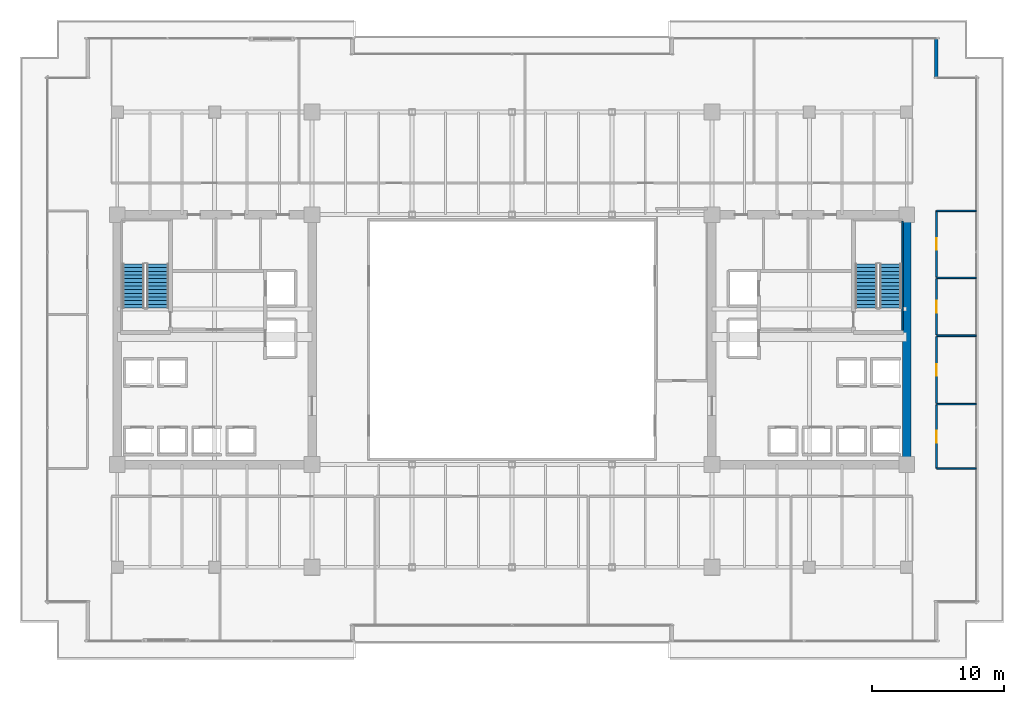
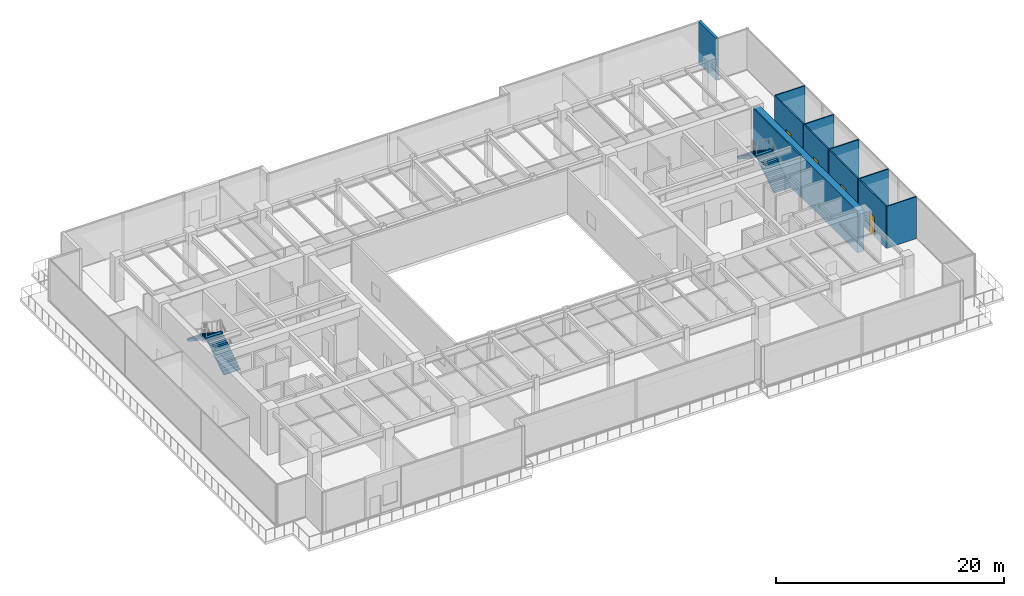
# One storey, part 29 of 33: 12 walls, 4 doors, 4 stair flights, 4 openings, 2 elements without a shape of their own.
"""IFC4 building model written with IfcOpenShell, lengths in metres."""

from ifc_helpers import new_model, si_unit, direction, frame, frame_2d, origin, place, context, subcontext, project, spatial, polyline, rectangle, outline, extrude, source, transform, mapped, material, layer, layer_set, type_object, type_shapes, element, fill, aggregate, save


model = new_model("IFC4")

# Units and contexts
model_context = context("Model", 3, precision=1e-05, world=origin(), true_north=direction((0.0, 1.0)))
body_context = subcontext(model_context, "Body", "Model", "MODEL_VIEW")
ifc_project = project(units=[si_unit("LENGTHUNIT", "METRE"), si_unit("AREAUNIT", "SQUARE_METRE"), si_unit("VOLUMEUNIT", "CUBIC_METRE"), si_unit("PLANEANGLEUNIT", "RADIAN"), si_unit("MASSUNIT", "GRAM", prefix="KILO")], contexts=[model_context])

# Site, building, storey
site_placement = place(None, origin())
site = spatial("IfcSite", under=ifc_project, at=site_placement, CompositionType="ELEMENT")
building_placement = place(site_placement, origin())
building = spatial("IfcBuilding", under=site, at=building_placement, Name="Haelvirn Gate Laboratories", CompositionType="ELEMENT")
storey_placement = place(building_placement, frame((0.0, 0.0, 100.300048828125)))
storey = spatial("IfcBuildingStorey", under=building, at=storey_placement, Name="L24", CompositionType="ELEMENT", Elevation=100.300048828125)

# Walls
ifc_material_1 = material(Name="Thermally-broken bronze aluminium rainscreen & mineral wool", Category="aluminium")
ifc_layer_1 = layer(ifc_material_1, 0.280029296875, Name="EW-TERR-280")
ifc_layer_set_1 = layer_set([ifc_layer_1], Name="Thermally-broken bronze aluminium rainscreen & mineral wool")
wall_type_1 = type_object("IfcWallType", Name="EW-TERR-280", PredefinedType="STANDARD", material=ifc_layer_set_1)
wall_1_placement = place(storey_placement, frame((69.659912109375, 44.2119140625, 0.0), z_axis=(0.0, 0.0, 1.0), x_axis=(0.0, 1.0, 0.0)))
element("IfcWall", 1, at=wall_1_placement, inside=storey, type_object=wall_type_1, Name="L24 Atrium Recess Bronze Return Wall 09", PredefinedType="STANDARD", context=body_context, shape_type="SweptSolid", body=[
    extrude(rectangle(XDim=3.088134765625, YDim=0.280029296875, at=frame_2d((1.5439453125, 0.0))), origin(), (0.0, 0.0, 1.0), 4.489990234375),
])
ifc_material_2 = material(Name="Lightweight acoustic gypsum board partition", Category="gypsum")
ifc_layer_2 = layer(ifc_material_2, 0.1201171875, Name="IW-PART-120")
ifc_layer_set_2 = layer_set([ifc_layer_2], Name="Lightweight acoustic gypsum board partition")
wall_type_2 = type_object("IfcWallType", Name="IW-PART-120", PredefinedType="PARTITIONING", material=ifc_layer_set_2)
for number, where, z_axis, x_axis, name in (
    (2, (69.669921875, 14.514892578125, 0.0), (0.0, 0.0, 1.0), (1.0, 0.0, 0.0), "L24 Interior Wall IW-L24-ECAP-S"),
    (3, (69.669921875, 34.0849609375, 0.0), (0.0, 0.0, 1.0), (1.0, 0.0, 0.0), "L24 Interior Wall IW-L24-ECAP-N"),
):
    element("IfcWall", number, at=place(storey_placement, frame(where, z_axis=z_axis, x_axis=x_axis)), inside=storey, type_object=wall_type_2, Name=name, PredefinedType="PARTITIONING", context=body_context, shape_type="SweptSolid", body=[
        extrude(rectangle(XDim=3.02001953125, YDim=0.1201171875, at=frame_2d((1.510009765625, 0.0))), origin(), (0.0, 0.0, 1.0), 4.489990234375),
    ])

# Wall, opening, door
wall_2_placement = place(storey_placement, frame((69.669921875, 14.514892578125, 0.0), z_axis=(0.0, 0.0, 1.0), x_axis=(0.0, 1.0, 0.0)))
wall_2 = element("IfcWall", 4, at=wall_2_placement, inside=storey, type_object=wall_type_2, Name="L24 Interior Wall IW-L24-EPASS-01", PredefinedType="PARTITIONING", context=body_context, shape_type="SweptSolid", body=[
    extrude(rectangle(XDim=4.8251953125, YDim=0.1201171875, at=frame_2d((2.41259765625, 0.0))), origin(), (0.0, 0.0, 1.0), 4.489990234375),
])
opening_1_placement = place(wall_2_placement, frame((1.96240234375, 0.0, 0.0)))
opening_1 = element("IfcOpeningElement", 5, at=opening_1_placement, cuts=wall_2, Name="Opening D4", PredefinedType="OPENING", context=body_context, shape_type="SweptSolid", body=[
    extrude(rectangle(XDim=0.89990234375, YDim=2.10009765625, at=frame_2d((0.449951171875, 1.050048828125))), frame((0.0, 0.070068359375, 0.0), z_axis=(0.0, -1.0, 0.0), x_axis=(1.0, 0.0, 0.0)), (0.0, 0.0, 1.0), 0.14013671875),
])
ifc_material_3 = material(Name="Glazed aluminium-framed write-up door", Category="aluminium")
door_type = type_object("IfcDoorType", Name="DR-OFF-900", OperationType="NOTDEFINED", PredefinedType="DOOR", material=ifc_material_3)
shared_shape_1 = source(origin(), body_context, "Body", "SweptSolid", [
    extrude(rectangle(XDim=0.89990234375, YDim=2.10009765625, at=frame_2d((0.449951171875, 1.050048828125))), frame((0.0, 0.02490234375, 0.0), z_axis=(0.0, -1.0, 0.0), x_axis=(1.0, 0.0, 0.0)), (0.0, 0.0, 1.0), 0.050048828125),
])
type_shapes(door_type, [shared_shape_1])
door_1_placement = place(opening_1_placement, origin())
door_1 = element("IfcDoor", 6, at=door_1_placement, inside=storey, type_object=door_type, Name="L24 Postdoctoral Reading Lounge Door E1", OperationType="SINGLE_SWING_LEFT", OverallHeight=2.10009765625, OverallWidth=0.89990234375, PredefinedType="DOOR", context=body_context, shape_type="MappedRepresentation", body=[
    mapped(shared_shape_1, transform((0.0, 0.0, 0.0), scale=1.0)),
])
fill(opening_1, door_1)

# Wall
wall_3_placement = place(storey_placement, frame((69.669921875, 19.39990234375, 0.0), z_axis=(0.0, 0.0, 1.0), x_axis=(1.0, 0.0, 0.0)))
element("IfcWall", 7, at=wall_3_placement, inside=storey, type_object=wall_type_2, Name="L24 Interior Wall IW-L24-EDIV-01", PredefinedType="PARTITIONING", context=body_context, shape_type="SweptSolid", body=[
    extrude(rectangle(XDim=3.02001953125, YDim=0.1201171875, at=frame_2d((1.510009765625, 0.0))), origin(), (0.0, 0.0, 1.0), 4.489990234375),
])

# Wall, opening, door
wall_4_placement = place(storey_placement, frame((69.669921875, 19.4599609375, 0.0), z_axis=(0.0, 0.0, 1.0), x_axis=(0.0, 1.0, 0.0)))
wall_4 = element("IfcWall", 8, at=wall_4_placement, inside=storey, type_object=wall_type_2, Name="L24 Interior Wall IW-L24-EPASS-02", PredefinedType="PARTITIONING", context=body_context, shape_type="SweptSolid", body=[
    extrude(rectangle(XDim=5.080078125, YDim=0.1201171875, at=frame_2d((2.5400390625, 0.0))), origin(), (0.0, 0.0, 1.0), 4.489990234375),
])
opening_2_placement = place(wall_4_placement, frame((2.090087890625, 0.0, 0.0)))
opening_2 = element("IfcOpeningElement", 9, at=opening_2_placement, cuts=wall_4, Name="Opening D4", PredefinedType="OPENING", context=body_context, shape_type="SweptSolid", body=[
    extrude(rectangle(XDim=0.89990234375, YDim=2.10009765625, at=frame_2d((0.449951171875, 1.050048828125))), frame((0.0, 0.070068359375, 0.0), z_axis=(0.0, -1.0, 0.0), x_axis=(1.0, 0.0, 0.0)), (0.0, 0.0, 1.0), 0.14013671875),
])
door_2_placement = place(opening_2_placement, origin())
door_2 = element("IfcDoor", 10, at=door_2_placement, inside=storey, type_object=door_type, Name="L24 Researcher Quiet Study Door E2", OperationType="SINGLE_SWING_RIGHT", OverallHeight=2.10009765625, OverallWidth=0.89990234375, PredefinedType="DOOR", context=body_context, shape_type="MappedRepresentation", body=[
    mapped(shared_shape_1, transform((0.0, 0.0, 0.0), scale=1.0)),
])
fill(opening_2, door_2)

# Wall
wall_5_placement = place(storey_placement, frame((69.669921875, 24.60009765625, 0.0), z_axis=(0.0, 0.0, 1.0), x_axis=(1.0, 0.0, 0.0)))
element("IfcWall", 11, at=wall_5_placement, inside=storey, type_object=wall_type_2, Name="L24 Interior Wall IW-L24-EDIV-02", PredefinedType="PARTITIONING", context=body_context, shape_type="SweptSolid", body=[
    extrude(rectangle(XDim=3.02001953125, YDim=0.1201171875, at=frame_2d((1.510009765625, 0.0))), origin(), (0.0, 0.0, 1.0), 4.489990234375),
])

# Wall, opening, door
wall_6_placement = place(storey_placement, frame((69.669921875, 24.659912109375, 0.0), z_axis=(0.0, 0.0, 1.0), x_axis=(0.0, 1.0, 0.0)))
wall_6 = element("IfcWall", 12, at=wall_6_placement, inside=storey, type_object=wall_type_2, Name="L24 Interior Wall IW-L24-EPASS-03", PredefinedType="PARTITIONING", context=body_context, shape_type="SweptSolid", body=[
    extrude(rectangle(XDim=4.280029296875, YDim=0.1201171875, at=frame_2d((2.14013671875, 0.0))), origin(), (0.0, 0.0, 1.0), 4.489990234375),
])
opening_3_placement = place(wall_6_placement, frame((1.68994140625, 0.0, 0.0)))
opening_3 = element("IfcOpeningElement", 13, at=opening_3_placement, cuts=wall_6, Name="Opening D4", PredefinedType="OPENING", context=body_context, shape_type="SweptSolid", body=[
    extrude(rectangle(XDim=0.89990234375, YDim=2.10009765625, at=frame_2d((0.449951171875, 1.050048828125))), frame((0.0, 0.070068359375, 0.0), z_axis=(0.0, -1.0, 0.0), x_axis=(1.0, 0.0, 0.0)), (0.0, 0.0, 1.0), 0.14013671875),
])
door_3_placement = place(opening_3_placement, origin())
door_3 = element("IfcDoor", 14, at=door_3_placement, inside=storey, type_object=door_type, Name="L24 Laser-Safety Consult Room Door E3", OperationType="SINGLE_SWING_LEFT", OverallHeight=2.10009765625, OverallWidth=0.89990234375, PredefinedType="DOOR", context=body_context, shape_type="MappedRepresentation", body=[
    mapped(shared_shape_1, transform((0.0, 0.0, 0.0), scale=1.0)),
])
fill(opening_3, door_3)

# Wall
wall_7_placement = place(storey_placement, frame((69.669921875, 29.0, 0.0), z_axis=(0.0, 0.0, 1.0), x_axis=(1.0, 0.0, 0.0)))
element("IfcWall", 15, at=wall_7_placement, inside=storey, type_object=wall_type_2, Name="L24 Interior Wall IW-L24-EDIV-03", PredefinedType="PARTITIONING", context=body_context, shape_type="SweptSolid", body=[
    extrude(rectangle(XDim=3.02001953125, YDim=0.1201171875, at=frame_2d((1.510009765625, 0.0))), origin(), (0.0, 0.0, 1.0), 4.489990234375),
])

# Wall, opening, door
wall_8_placement = place(storey_placement, frame((69.669921875, 29.06005859375, 0.0), z_axis=(0.0, 0.0, 1.0), x_axis=(0.0, 1.0, 0.0)))
wall_8 = element("IfcWall", 16, at=wall_8_placement, inside=storey, type_object=wall_type_2, Name="L24 Interior Wall IW-L24-EPASS-04", PredefinedType="PARTITIONING", context=body_context, shape_type="SweptSolid", body=[
    extrude(rectangle(XDim=5.02490234375, YDim=0.1201171875, at=frame_2d((2.512451171875, 0.0))), origin(), (0.0, 0.0, 1.0), 4.489990234375),
])
opening_4_placement = place(wall_8_placement, frame((2.0625, 0.0, 0.0)))
opening_4 = element("IfcOpeningElement", 17, at=opening_4_placement, cuts=wall_8, Name="Opening D4", PredefinedType="OPENING", context=body_context, shape_type="SweptSolid", body=[
    extrude(rectangle(XDim=0.89990234375, YDim=2.10009765625, at=frame_2d((0.449951171875, 1.050048828125))), frame((0.0, 0.070068359375, 0.0), z_axis=(0.0, -1.0, 0.0), x_axis=(1.0, 0.0, 0.0)), (0.0, 0.0, 1.0), 0.14013671875),
])
door_4_placement = place(opening_4_placement, origin())
door_4 = element("IfcDoor", 18, at=door_4_placement, inside=storey, type_object=door_type, Name="L24 Occupational Biosafety Clinic Door E4", OperationType="SINGLE_SWING_RIGHT", OverallHeight=2.10009765625, OverallWidth=0.89990234375, PredefinedType="DOOR", context=body_context, shape_type="MappedRepresentation", body=[
    mapped(shared_shape_1, transform((0.0, 0.0, 0.0), scale=1.0)),
])
fill(opening_4, door_4)

# Walls
ifc_material_4 = material(Name="Concrete C60/75", Category="concrete")
ifc_layer_3 = layer(ifc_material_4, 0.64990234375, Name="SW-CORE-650")
ifc_layer_set_3 = layer_set([ifc_layer_3], Name="Concrete C60/75")
wall_type_3 = type_object("IfcWallType", Name="SW-CORE-650", PredefinedType="SHEAR", material=ifc_layer_set_3)
wall_9_placement = place(storey_placement, frame((67.39990234375, 15.125, 0.0), z_axis=(0.0, 0.0, 1.0), x_axis=(0.0, 1.0, 0.0)))
element("IfcWall", 19, at=wall_9_placement, inside=storey, type_object=wall_type_3, Name="L24 E Core Shear Wall E", PredefinedType="SHEAR", context=body_context, shape_type="SweptSolid", body=[
    extrude(rectangle(XDim=18.35009765625, YDim=0.64990234375, at=frame_2d((9.175048828125, 0.0))), origin(), (0.0, 0.0, 1.0), 4.489990234375),
])
ifc_material_5 = material(Name="Concrete C50/60", Category="concrete")
ifc_layer_4 = layer(ifc_material_5, 0.1201171875, Name="SW-LINER-120")
ifc_layer_set_4 = layer_set([ifc_layer_4], Name="Concrete C50/60")
wall_type_4 = type_object("IfcWallType", Name="SW-LINER-120", PredefinedType="SOLIDWALL", material=ifc_layer_set_4)
wall_10_placement = place(storey_placement, frame((67.070068359375, 25.0, 0.0), z_axis=(0.0, 0.0, 1.0), x_axis=(0.0, 1.0, 0.0)))
element("IfcWall", 20, at=wall_10_placement, inside=storey, type_object=wall_type_4, Name="L24 E Core Stair Shaft Liner Wall OUT", PredefinedType="SOLIDWALL", context=body_context, shape_type="SweptSolid", body=[
    extrude(rectangle(XDim=8.320068359375, YDim=0.1201171875, at=frame_2d((4.16015625, 0.0))), origin(), (0.0, 0.0, 1.0), 4.489990234375),
])

# Stair, stair flights
ifc_material_6 = material(Name="Concrete C40/50", Category="concrete")
stair_type = type_object("IfcStairType", Name="ST-DOG-1650-R26", PredefinedType="HALF_TURN_STAIR", material=ifc_material_6)
stair_1_placement = place(storey_placement, origin())
stair_1 = element("IfcStair", 21, at=stair_1_placement, inside=storey, type_object=stair_type, Name="L24 Escape Stair ST1", PredefinedType="HALF_TURN_STAIR")
stair_flight_type = type_object("IfcStairFlightType", Name="STF-1650-R13", PredefinedType="STRAIGHT", material=ifc_material_6)
shared_shape_2 = source(origin(), body_context, "Body", "SweptSolid", [
    extrude(outline(polyline([(0.0, 0.0), (0.0, 0.1845703125), (0.280029296875, 0.1845703125), (0.280029296875, 0.369140625), (0.56005859375, 0.369140625), (0.56005859375, 0.553955078125), (0.840087890625, 0.553955078125), (0.840087890625, 0.738525390625), (1.1201171875, 0.738525390625), (1.1201171875, 0.923095703125), (1.39990234375, 0.923095703125), (1.39990234375, 1.107666015625), (1.679931640625, 1.107666015625), (1.679931640625, 1.292236328125), (1.9599609375, 1.292236328125), (1.9599609375, 1.476806640625), (2.239990234375, 1.476806640625), (2.239990234375, 1.66162109375), (2.52001953125, 1.66162109375), (2.52001953125, 1.84619140625), (2.800048828125, 1.84619140625), (2.800048828125, 2.03076171875), (3.080078125, 2.03076171875), (3.080078125, 2.21533203125), (3.360107421875, 2.21533203125), (3.360107421875, 2.39990234375), (3.360107421875, 2.02392578125), (0.29052734375, 0.0), (0.0, 0.0)])), frame((0.0, 0.824951171875, 0.0), z_axis=(0.0, -1.0, 0.0), x_axis=(1.0, 0.0, 0.0)), (0.0, 0.0, 1.0), 1.64990234375),
])
type_shapes(stair_flight_type, [shared_shape_2])
stair_flight_1_placement = place(storey_placement, frame((10.47509765625, 26.699951171875, 0.0), z_axis=(0.0, 0.0, 1.0), x_axis=(0.0, 1.0, 0.0)))
stair_flight_1 = element("IfcStairFlight", 22, at=stair_flight_1_placement, type_object=stair_flight_type, Name="ST1 flight 1", NumberOfRisers=13, NumberOfTreads=12, PredefinedType="STRAIGHT", RiserHeight=0.184615385, TreadLength=0.28, context=body_context, shape_type="MappedRepresentation", body=[
    mapped(shared_shape_2, transform((0.0, 0.0, 0.0), scale=1.0)),
])
stair_flight_2_placement = place(storey_placement, frame((8.625, 30.06005859375, 2.39990234375), z_axis=(0.0, 0.0, 1.0), x_axis=(0.0, -1.0, 0.0)))
stair_flight_2 = element("IfcStairFlight", 23, at=stair_flight_2_placement, type_object=stair_flight_type, Name="ST1 flight 2", NumberOfRisers=13, NumberOfTreads=12, PredefinedType="STRAIGHT", RiserHeight=0.184615385, TreadLength=0.28, context=body_context, shape_type="MappedRepresentation", body=[
    mapped(shared_shape_2, transform((0.0, 0.0, 0.0), scale=1.0)),
])
aggregate(stair_1, [stair_flight_1, stair_flight_2])

stair_2_placement = place(storey_placement, origin())
stair_2 = element("IfcStair", 24, at=stair_2_placement, inside=storey, type_object=stair_type, Name="L24 Escape Stair ST2", PredefinedType="HALF_TURN_STAIR")
stair_flight_3_placement = place(storey_placement, frame((66.175048828125, 26.699951171875, 0.0), z_axis=(0.0, 0.0, 1.0), x_axis=(0.0, 1.0, 0.0)))
stair_flight_3 = element("IfcStairFlight", 25, at=stair_flight_3_placement, type_object=stair_flight_type, Name="ST2 flight 1", NumberOfRisers=13, NumberOfTreads=12, PredefinedType="STRAIGHT", RiserHeight=0.184615385, TreadLength=0.28, context=body_context, shape_type="MappedRepresentation", body=[
    mapped(shared_shape_2, transform((0.0, 0.0, 0.0), scale=1.0)),
])
stair_flight_4_placement = place(storey_placement, frame((64.324951171875, 30.06005859375, 2.39990234375), z_axis=(0.0, 0.0, 1.0), x_axis=(0.0, -1.0, 0.0)))
stair_flight_4 = element("IfcStairFlight", 26, at=stair_flight_4_placement, type_object=stair_flight_type, Name="ST2 flight 2", NumberOfRisers=13, NumberOfTreads=12, PredefinedType="STRAIGHT", RiserHeight=0.184615385, TreadLength=0.28, context=body_context, shape_type="MappedRepresentation", body=[
    mapped(shared_shape_2, transform((0.0, 0.0, 0.0), scale=1.0)),
])
aggregate(stair_2, [stair_flight_3, stair_flight_4])

save(model, "model.ifc")
